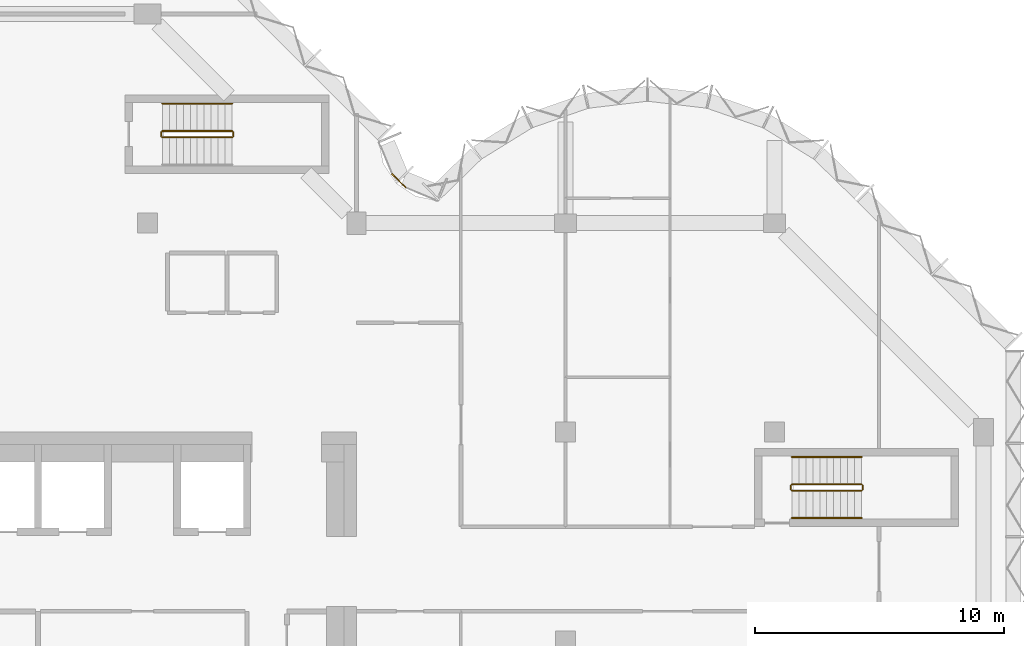
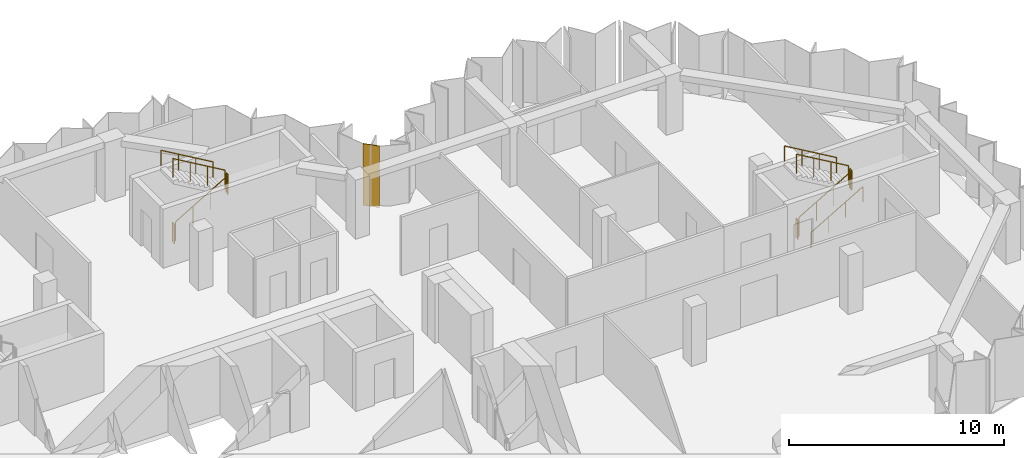
# One storey, part 9 of 9: 11 railings, 1 covering, 1 element without a shape of its own.
"""IFC4 building model written with IfcOpenShell, lengths in metres."""

from ifc_helpers import new_model, si_unit, direction, frame, origin, origin_2d, place, context, subcontext, project, spatial, polyline, circle, outline, extrude, material, layer, layer_set, type_object, element, aggregate, save


model = new_model("IFC4")

# Units and contexts
model_context = context("Model", 3, precision=1e-05, world=origin(), true_north=direction((0.0, 1.0)))
body_context = subcontext(model_context, "Body", "Model", "MODEL_VIEW")
ifc_project = project(units=[si_unit("LENGTHUNIT", "METRE"), si_unit("AREAUNIT", "SQUARE_METRE"), si_unit("VOLUMEUNIT", "CUBIC_METRE"), si_unit("PLANEANGLEUNIT", "RADIAN"), si_unit("MASSUNIT", "GRAM", prefix="KILO")], contexts=[model_context])

# Site, building, storey
site_placement = place(None, origin())
site = spatial("IfcSite", under=ifc_project, at=site_placement, CompositionType="ELEMENT")
building_placement = place(site_placement, origin())
building = spatial("IfcBuilding", under=site, at=building_placement, Name="Brevane Broadcast Tower", CompositionType="ELEMENT")
storey_placement = place(building_placement, frame((0.0, 0.0, 244.5)))
storey = spatial("IfcBuildingStorey", under=building, at=storey_placement, Name="L62", CompositionType="ELEMENT", Elevation=244.5)

# Railings
ifc_material_1 = material(Name="Steel S355", Category="steel")
railing_type_1 = type_object("IfcRailingType", Name="Exit stair guard", PredefinedType="GUARDRAIL", material=ifc_material_1)
railing_1_placement = place(storey_placement, frame((17.39990234375, 28.64990234375, 0.16357421875)))
element("IfcRailing", 1, at=railing_1_placement, inside=storey, type_object=railing_type_1, Name="L62 ST-3 stair guard 1", PredefinedType="GUARDRAIL", context=body_context, shape_type="SweptSolid", body=[
    extrude(circle(Radius=0.02392578125, at=origin_2d()), frame((0.0, 0.0, 1.076171875), z_axis=(0.863360870873, 0.0, 0.504586966384), x_axis=(0.0, 1.0, 0.0)), (0.0, 0.0, 1.0), 3.2431640625),
    extrude(circle(Radius=0.02099609375, at=origin_2d()), origin(), (0.0, 0.0, 1.0), 1.052001953125),
    extrude(circle(Radius=0.02099609375, at=origin_2d()), frame((0.933349609375, 0.0, 0.54541015625)), (0.0, 0.0, 1.0), 1.052001953125),
    extrude(circle(Radius=0.02099609375, at=origin_2d()), frame((1.86669921875, 0.0, 1.091064453125)), (0.0, 0.0, 1.0), 1.052001953125),
    extrude(circle(Radius=0.02099609375, at=origin_2d()), frame((2.800048828125, 0.0, 1.636474609375)), (0.0, 0.0, 1.0), 1.052001953125),
])
railing_2_placement = place(storey_placement, frame((20.25, 28.699951171875, 1.800048828125)))
element("IfcRailing", 2, at=railing_2_placement, inside=storey, type_object=railing_type_1, Name="L62 ST-3 stair guard 2", PredefinedType="GUARDRAIL", context=body_context, shape_type="SweptSolid", body=[
    extrude(circle(Radius=0.02392578125, at=origin_2d()), frame((0.0, 0.0, 1.076171875), z_axis=(0.0, 1.0, 0.0), x_axis=(-1.0, 0.0, 0.0)), (0.0, 0.0, 1.0), 0.150146484375),
    extrude(circle(Radius=0.02099609375, at=origin_2d()), origin(), (0.0, 0.0, 1.0), 1.052001953125),
    extrude(circle(Radius=0.02099609375, at=origin_2d()), frame((0.0, 0.150146484375, 0.0)), (0.0, 0.0, 1.0), 1.052001953125),
])
railing_3_placement = place(storey_placement, frame((20.199951171875, 28.89990234375, 1.963623046875)))
element("IfcRailing", 3, at=railing_3_placement, inside=storey, type_object=railing_type_1, Name="L62 ST-3 stair guard 3", PredefinedType="GUARDRAIL", context=body_context, shape_type="SweptSolid", body=[
    extrude(circle(Radius=0.02392578125, at=origin_2d()), frame((0.0, 0.0, 1.076171875), z_axis=(-0.863360870873, 0.0, 0.504586966384), x_axis=(0.0, -1.0, 0.0)), (0.0, 0.0, 1.0), 3.2431640625),
    extrude(circle(Radius=0.02099609375, at=origin_2d()), origin(), (0.0, 0.0, 1.0), 1.052001953125),
    extrude(circle(Radius=0.02099609375, at=origin_2d()), frame((-0.933349609375, 0.0, 0.54541015625)), (0.0, 0.0, 1.0), 1.052001953125),
    extrude(circle(Radius=0.02099609375, at=origin_2d()), frame((-1.86669921875, 0.0, 1.091064453125)), (0.0, 0.0, 1.0), 1.052001953125),
    extrude(circle(Radius=0.02099609375, at=origin_2d()), frame((-2.800048828125, 0.0, 1.636474609375)), (0.0, 0.0, 1.0), 1.052001953125),
])
railing_4_placement = place(storey_placement, frame((17.35009765625, 28.699951171875, 0.0)))
element("IfcRailing", 4, at=railing_4_placement, inside=storey, type_object=railing_type_1, Name="L62 ST-3 stair guard 4", PredefinedType="GUARDRAIL", context=body_context, shape_type="SweptSolid", body=[
    extrude(circle(Radius=0.02392578125, at=origin_2d()), frame((0.0, 0.0, 1.076171875), z_axis=(0.0, 1.0, 0.0), x_axis=(-1.0, 0.0, 0.0)), (0.0, 0.0, 1.0), 0.150146484375),
    extrude(circle(Radius=0.02099609375, at=origin_2d()), origin(), (0.0, 0.0, 1.0), 1.052001953125),
    extrude(circle(Radius=0.02099609375, at=origin_2d()), frame((0.0, 0.150146484375, 0.0)), (0.0, 0.0, 1.0), 1.052001953125),
])
railing_5_placement = place(storey_placement, frame((42.699951171875, 14.449951171875, 0.16357421875)))
element("IfcRailing", 5, at=railing_5_placement, inside=storey, type_object=railing_type_1, Name="L62 ST-4 stair guard 1", PredefinedType="GUARDRAIL", context=body_context, shape_type="SweptSolid", body=[
    extrude(circle(Radius=0.02392578125, at=origin_2d()), frame((0.0, 0.0, 1.076171875), z_axis=(0.863360870873, 0.0, 0.504586966384), x_axis=(0.0, 1.0, 0.0)), (0.0, 0.0, 1.0), 3.2431640625),
    extrude(circle(Radius=0.02099609375, at=origin_2d()), origin(), (0.0, 0.0, 1.0), 1.052001953125),
    extrude(circle(Radius=0.02099609375, at=origin_2d()), frame((0.933349609375, 0.0, 0.54541015625)), (0.0, 0.0, 1.0), 1.052001953125),
    extrude(circle(Radius=0.02099609375, at=origin_2d()), frame((1.86669921875, 0.0, 1.091064453125)), (0.0, 0.0, 1.0), 1.052001953125),
    extrude(circle(Radius=0.02099609375, at=origin_2d()), frame((2.800048828125, 0.0, 1.636474609375)), (0.0, 0.0, 1.0), 1.052001953125),
])
railing_6_placement = place(storey_placement, frame((45.550048828125, 14.5, 1.800048828125)))
element("IfcRailing", 6, at=railing_6_placement, inside=storey, type_object=railing_type_1, Name="L62 ST-4 stair guard 2", PredefinedType="GUARDRAIL", context=body_context, shape_type="SweptSolid", body=[
    extrude(circle(Radius=0.02392578125, at=origin_2d()), frame((0.0, 0.0, 1.076171875), z_axis=(0.0, 1.0, 0.0), x_axis=(-1.0, 0.0, 0.0)), (0.0, 0.0, 1.0), 0.14990234375),
    extrude(circle(Radius=0.02099609375, at=origin_2d()), origin(), (0.0, 0.0, 1.0), 1.052001953125),
    extrude(circle(Radius=0.02099609375, at=origin_2d()), frame((0.0, 0.14990234375, 0.0)), (0.0, 0.0, 1.0), 1.052001953125),
])
railing_7_placement = place(storey_placement, frame((45.5, 14.699951171875, 1.963623046875)))
element("IfcRailing", 7, at=railing_7_placement, inside=storey, type_object=railing_type_1, Name="L62 ST-4 stair guard 3", PredefinedType="GUARDRAIL", context=body_context, shape_type="SweptSolid", body=[
    extrude(circle(Radius=0.02392578125, at=origin_2d()), frame((0.0, 0.0, 1.076171875), z_axis=(-0.863360870873, 0.0, 0.504586966384), x_axis=(0.0, -1.0, 0.0)), (0.0, 0.0, 1.0), 3.2431640625),
    extrude(circle(Radius=0.02099609375, at=origin_2d()), origin(), (0.0, 0.0, 1.0), 1.052001953125),
    extrude(circle(Radius=0.02099609375, at=origin_2d()), frame((-0.933349609375, 0.0, 0.54541015625)), (0.0, 0.0, 1.0), 1.052001953125),
    extrude(circle(Radius=0.02099609375, at=origin_2d()), frame((-1.86669921875, 0.0, 1.091064453125)), (0.0, 0.0, 1.0), 1.052001953125),
    extrude(circle(Radius=0.02099609375, at=origin_2d()), frame((-2.800048828125, 0.0, 1.636474609375)), (0.0, 0.0, 1.0), 1.052001953125),
])
railing_8_placement = place(storey_placement, frame((42.64990234375, 14.5, 0.0)))
element("IfcRailing", 8, at=railing_8_placement, inside=storey, type_object=railing_type_1, Name="L62 ST-4 stair guard 4", PredefinedType="GUARDRAIL", context=body_context, shape_type="SweptSolid", body=[
    extrude(circle(Radius=0.02392578125, at=origin_2d()), frame((0.0, 0.0, 1.076171875), z_axis=(0.0, 1.0, 0.0), x_axis=(-1.0, 0.0, 0.0)), (0.0, 0.0, 1.0), 0.14990234375),
    extrude(circle(Radius=0.02099609375, at=origin_2d()), origin(), (0.0, 0.0, 1.0), 1.052001953125),
    extrude(circle(Radius=0.02099609375, at=origin_2d()), frame((0.0, 0.14990234375, 0.0)), (0.0, 0.0, 1.0), 1.052001953125),
])
railing_type_2 = type_object("IfcRailingType", Name="Exit stair handrail", PredefinedType="HANDRAIL", material=ifc_material_1)
railing_9_placement = place(storey_placement, frame((20.199951171875, 30.0, 1.963623046875)))
element("IfcRailing", 9, at=railing_9_placement, inside=storey, type_object=railing_type_2, Name="L62 ST-3 stair handrail 2", PredefinedType="HANDRAIL", context=body_context, shape_type="SweptSolid", body=[
    extrude(circle(Radius=0.02392578125, at=origin_2d()), frame((0.0, 0.0, 0.8759765625), z_axis=(-0.863360870873, 0.0, 0.504586966384), x_axis=(0.0, -1.0, 0.0)), (0.0, 0.0, 1.0), 3.2431640625),
    extrude(circle(Radius=0.02099609375, at=origin_2d()), origin(), (0.0, 0.0, 1.0), 0.851806640625),
    extrude(circle(Radius=0.02099609375, at=origin_2d()), frame((-0.933349609375, 0.0, 0.54541015625)), (0.0, 0.0, 1.0), 0.851806640625),
    extrude(circle(Radius=0.02099609375, at=origin_2d()), frame((-1.86669921875, 0.0, 1.091064453125)), (0.0, 0.0, 1.0), 0.851806640625),
    extrude(circle(Radius=0.02099609375, at=origin_2d()), frame((-2.800048828125, 0.0, 1.636474609375)), (0.0, 0.0, 1.0), 0.851806640625),
])
railing_10_placement = place(storey_placement, frame((42.699951171875, 13.35009765625, 0.16357421875)))
element("IfcRailing", 10, at=railing_10_placement, inside=storey, type_object=railing_type_2, Name="L62 ST-4 stair handrail 1", PredefinedType="HANDRAIL", context=body_context, shape_type="SweptSolid", body=[
    extrude(circle(Radius=0.02392578125, at=origin_2d()), frame((0.0, 0.0, 0.8759765625), z_axis=(0.863360870873, 0.0, 0.504586966384), x_axis=(0.0, 1.0, 0.0)), (0.0, 0.0, 1.0), 3.2431640625),
    extrude(circle(Radius=0.02099609375, at=origin_2d()), origin(), (0.0, 0.0, 1.0), 0.851806640625),
    extrude(circle(Radius=0.02099609375, at=origin_2d()), frame((0.933349609375, 0.0, 0.54541015625)), (0.0, 0.0, 1.0), 0.851806640625),
    extrude(circle(Radius=0.02099609375, at=origin_2d()), frame((1.86669921875, 0.0, 1.091064453125)), (0.0, 0.0, 1.0), 0.851806640625),
    extrude(circle(Radius=0.02099609375, at=origin_2d()), frame((2.800048828125, 0.0, 1.636474609375)), (0.0, 0.0, 1.0), 0.851806640625),
])
railing_11_placement = place(storey_placement, frame((45.5, 15.800048828125, 1.963623046875)))
element("IfcRailing", 11, at=railing_11_placement, inside=storey, type_object=railing_type_2, Name="L62 ST-4 stair handrail 2", PredefinedType="HANDRAIL", context=body_context, shape_type="SweptSolid", body=[
    extrude(circle(Radius=0.02392578125, at=origin_2d()), frame((0.0, 0.0, 0.8759765625), z_axis=(-0.863360870873, 0.0, 0.504586966384), x_axis=(0.0, -1.0, 0.0)), (0.0, 0.0, 1.0), 3.2431640625),
    extrude(circle(Radius=0.02099609375, at=origin_2d()), origin(), (0.0, 0.0, 1.0), 0.851806640625),
    extrude(circle(Radius=0.02099609375, at=origin_2d()), frame((-0.933349609375, 0.0, 0.54541015625)), (0.0, 0.0, 1.0), 0.851806640625),
    extrude(circle(Radius=0.02099609375, at=origin_2d()), frame((-1.86669921875, 0.0, 1.091064453125)), (0.0, 0.0, 1.0), 0.851806640625),
    extrude(circle(Radius=0.02099609375, at=origin_2d()), frame((-2.800048828125, 0.0, 1.636474609375)), (0.0, 0.0, 1.0), 0.851806640625),
])

# Curtain wall, covering
ifc_material_2 = material(Name="Aluminium 6063-T6 bronze anodised", Category="aluminium")
curtain_wall_type = type_object("IfcCurtainWallType", Name="CW-1 curtain wall", PredefinedType="NOTDEFINED", material=ifc_material_2)
curtain_wall_placement = place(storey_placement, origin())
curtain_wall = element("IfcCurtainWall", 12, at=curtain_wall_placement, inside=storey, type_object=curtain_wall_type, Name="CW-1 typical tilted unit L62 inner corner", PredefinedType="NOTDEFINED")
ifc_material_3 = material(Name="Back-painted bronze glass shadow-box", Category="glass")
ifc_layer = layer(ifc_material_3, 0.0400390625)
ifc_layer_set = layer_set([ifc_layer], Name="Shadow-box panel 40")
covering_type = type_object("IfcCoveringType", Name="Shadow-box panel 40", PredefinedType="CLADDING", material=ifc_layer_set)
covering_placement = place(storey_placement, frame((0.0, 0.0, -0.14990234375)))
covering = element("IfcCovering", 13, at=covering_placement, type_object=covering_type, Name="Closure panel", PredefinedType="CLADDING", context=body_context, shape_type="SweptSolid", body=[
    extrude(outline(polyline([(27.17138671875, 26.60498046875), (27.2021484375, 26.635498046875), (26.635498046875, 27.2021484375), (26.60498046875, 27.17138671875), (27.17138671875, 26.60498046875)])), origin(), (0.0, 0.0, 1.0), 3.5),
])
aggregate(curtain_wall, [covering])

save(model, "model.ifc")
